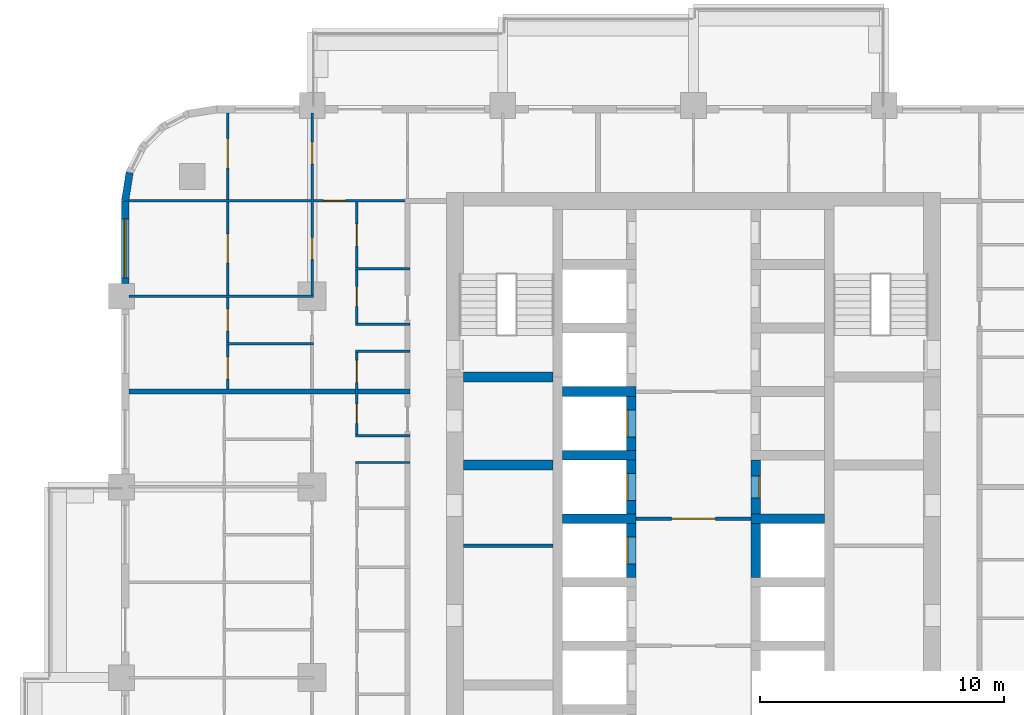
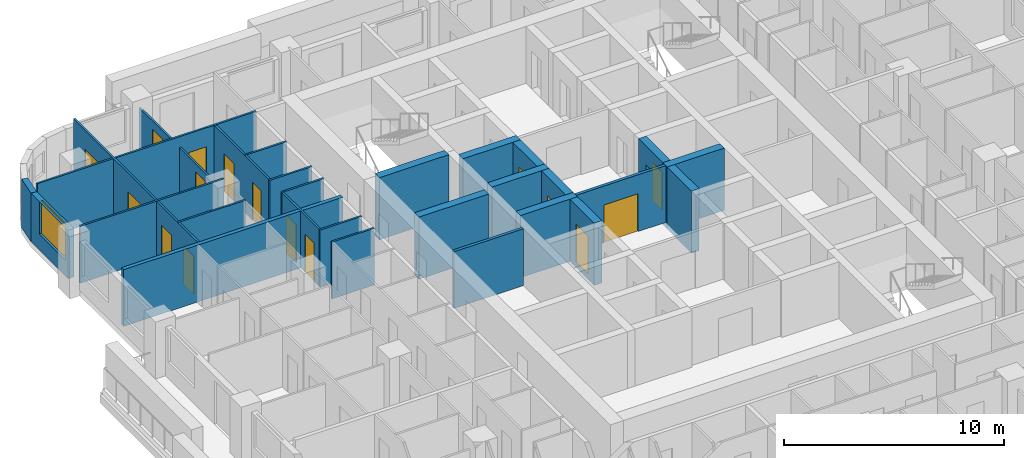
# One storey, part 10 of 17: 28 walls, 16 doors, 1 window, 17 openings.
"""IFC4 building model written with IfcOpenShell, lengths in metres."""

from ifc_helpers import new_model, si_unit, direction, frame, frame_2d, origin, place, context, subcontext, project, spatial, rectangle, extrude, material, layer, layer_set, type_object, element, fill, save


model = new_model("IFC4")

# Units and contexts
model_context = context("Model", 3, precision=1e-05, world=origin(), true_north=direction((0.0, 1.0)))
body_context = subcontext(model_context, "Body", "Model", "MODEL_VIEW")
ifc_project = project(units=[si_unit("LENGTHUNIT", "METRE"), si_unit("AREAUNIT", "SQUARE_METRE"), si_unit("VOLUMEUNIT", "CUBIC_METRE"), si_unit("PLANEANGLEUNIT", "RADIAN"), si_unit("MASSUNIT", "GRAM", prefix="KILO")], contexts=[model_context])

# Site, building, storey
site_placement = place(None, origin())
site = spatial("IfcSite", under=ifc_project, at=site_placement, CompositionType="ELEMENT")
building_placement = place(site_placement, origin())
building = spatial("IfcBuilding", under=site, at=building_placement, Name="Ludao Terraces", CompositionType="ELEMENT")
storey_placement = place(building_placement, frame((0.0, 0.0, 51.199951171875)))
storey = spatial("IfcBuildingStorey", under=building, at=storey_placement, Name="L13", CompositionType="ELEMENT", Elevation=51.199951171875)

# Wall, opening, window
ifc_material_1 = material(Name="Granite cladding", Category="masonry")
ifc_layer_1 = layer(ifc_material_1, 0.0400390625, Category="stone")
ifc_material_2 = material(Name="Mineral wool")
ifc_layer_2 = layer(ifc_material_2, 0.06005859375)
ifc_material_3 = material(Name="Concrete C40", Category="concrete")
ifc_layer_3 = layer(ifc_material_3, 0.199951171875, Category="concrete")
ifc_layer_set_1 = layer_set([ifc_layer_1, ifc_layer_2, ifc_layer_3], Name="ENV Stone-clad wall 300")
wall_type_1 = type_object("IfcWallType", Name="ENV Stone-clad wall 300", PredefinedType="SOLIDWALL", material=ifc_layer_set_1)
wall_1_placement = place(storey_placement, frame((61.75, 81.125, 0.0), z_axis=(0.0, 0.0, 1.0), x_axis=(0.0, 1.0, 0.0)))
wall_1 = element("IfcWall", 1, at=wall_1_placement, inside=storey, type_object=wall_type_1, Name="EW-L13-W6", PredefinedType="SOLIDWALL", context=body_context, shape_type="SweptSolid", body=[
    extrude(rectangle(XDim=3.375, YDim=0.300048828125, at=frame_2d((1.6875, 0.0))), origin(), (0.0, 0.0, 1.0), 2.699951171875),
])
opening_1_placement = place(wall_1_placement, frame((0.22509765625, 0.0, 0.89990234375)))
opening_1 = element("IfcOpeningElement", 2, at=opening_1_placement, cuts=wall_1, Name="Opening W1", PredefinedType="OPENING", context=body_context, shape_type="SweptSolid", body=[
    extrude(rectangle(XDim=2.39990234375, YDim=1.800048828125, at=frame_2d((1.199951171875, 0.89990234375))), frame((0.0, 0.16015625, 0.0), z_axis=(0.0, -1.0, 0.0), x_axis=(1.0, 0.0, 0.0)), (0.0, 0.0, 1.0), 0.320068359375),
])
ifc_material_4 = material(Name="Clear glass in aluminium frame", Category="aluminium")
ifc_layer_4 = layer(ifc_material_4, 0.06005859375)
ifc_layer_set_2 = layer_set([ifc_layer_4], Name="ENV Window W1 2400x1800")
window_type = type_object("IfcWindowType", Name="ENV Window W1 2400x1800", PartitioningType="DOUBLE_PANEL_VERTICAL", PredefinedType="WINDOW", material=ifc_layer_set_2)
window_placement = place(opening_1_placement, origin())
window = element("IfcWindow", 3, at=window_placement, inside=storey, type_object=window_type, Name="W-L13-W6-1", OverallHeight=1.800048828125, OverallWidth=2.39990234375, PartitioningType="DOUBLE_PANEL_VERTICAL", PredefinedType="WINDOW", context=body_context, shape_type="SweptSolid", body=[
    extrude(rectangle(XDim=2.39990234375, YDim=1.800048828125, at=frame_2d((1.199951171875, 0.89990234375))), frame((0.0, 0.030029296875, 0.0), z_axis=(0.0, -1.0, 0.0), x_axis=(1.0, 0.0, 0.0)), (0.0, 0.0, 1.0), 0.06005859375),
])
fill(opening_1, window)

# Walls
wall_2_placement = place(storey_placement, frame((61.93359375, 85.65869140625, 0.0), z_axis=(0.0, 0.0, 1.0), x_axis=(-0.156496880861, -0.987678452879, 0.0)))
element("IfcWall", 4, at=wall_2_placement, inside=storey, type_object=wall_type_1, Name="EW-L13-NW5", PredefinedType="SOLIDWALL", context=body_context, shape_type="SweptSolid", body=[
    extrude(rectangle(XDim=1.173095703125, YDim=0.300048828125, at=frame_2d((0.58642578125, 0.0))), origin(), (0.0, 0.0, 1.0), 2.699951171875),
])
ifc_material_5 = material(Name="Fire-rated gypsum plasterboard", Category="gypsum")
ifc_layer_5 = layer(ifc_material_5, 0.012451171875, Category="gypsum")
ifc_layer_6 = layer(ifc_material_2, 0.10009765625, Name="insulation")
ifc_material_6 = material(Name="Steel Q235", Category="steel")
ifc_layer_7 = layer(ifc_material_6, 0.02490234375, Name="stud")
ifc_layer_8 = layer(ifc_material_5, 0.012451171875, Category="gypsum")
ifc_layer_set_3 = layer_set([ifc_layer_5, ifc_layer_6, ifc_layer_7, ifc_layer_8], Name="INT Core partition 150")
wall_type_2 = type_object("IfcWallType", Name="INT Core partition 150", PredefinedType="PARTITIONING", material=ifc_layer_set_3)
wall_3_placement = place(storey_placement, frame((75.60009765625, 70.39990234375, 0.0), z_axis=(0.0, 0.0, 1.0), x_axis=(1.0, 0.0, 0.0)))
element("IfcWall", 5, at=wall_3_placement, inside=storey, type_object=wall_type_2, Name="PW-L13-PW049", PredefinedType="PARTITIONING", context=body_context, shape_type="SweptSolid", body=[
    extrude(rectangle(XDim=3.64990234375, YDim=0.14990234375, at=frame_2d((1.824951171875, 0.0))), origin(), (0.0, 0.0, 1.0), 3.150146484375),
])

# Wall, opening, door
wall_4_placement = place(storey_placement, frame((82.650146484375, 71.5, 0.0), z_axis=(0.0, 0.0, 1.0), x_axis=(1.0, 0.0, 0.0)))
wall_4 = element("IfcWall", 6, at=wall_4_placement, inside=storey, type_object=wall_type_2, Name="PW-L13-PW053", PredefinedType="PARTITIONING", context=body_context, shape_type="SweptSolid", body=[
    extrude(rectangle(XDim=4.699951171875, YDim=0.14990234375, at=frame_2d((2.35009765625, 0.0))), origin(), (0.0, 0.0, 1.0), 3.150146484375),
])
opening_2_placement = place(wall_4_placement, frame((1.449951171875, 0.0, 0.0)))
opening_2 = element("IfcOpeningElement", 7, at=opening_2_placement, cuts=wall_4, Name="Opening R04-102", PredefinedType="OPENING", context=body_context, shape_type="SweptSolid", body=[
    extrude(rectangle(XDim=1.800048828125, YDim=2.10009765625, at=frame_2d((0.89990234375, 1.050048828125))), frame((0.0, 0.0849609375, 0.0), z_axis=(0.0, -1.0, 0.0), x_axis=(1.0, 0.0, 0.0)), (0.0, 0.0, 1.0), 0.169921875),
])
door_type_1 = type_object("IfcDoorType", Name="INT Fire lobby door 1800", OperationType="DOUBLE_DOOR_SINGLE_SWING", PredefinedType="DOOR", material=ifc_material_6)
door_1_placement = place(opening_2_placement, origin())
door_1 = element("IfcDoor", 8, at=door_1_placement, inside=storey, type_object=door_type_1, Name="DOOR 102", OperationType="DOUBLE_DOOR_SINGLE_SWING", OverallHeight=2.10009765625, OverallWidth=1.800048828125, PredefinedType="DOOR", context=body_context, shape_type="SweptSolid", body=[
    extrude(rectangle(XDim=1.800048828125, YDim=2.10009765625, at=frame_2d((0.89990234375, 1.050048828125))), frame((0.0, 0.02490234375, 0.0), z_axis=(0.0, -1.0, 0.0), x_axis=(1.0, 0.0, 0.0)), (0.0, 0.0, 1.0), 0.050048828125),
])
fill(opening_2, door_1)

# Walls
ifc_material_7 = material(Name="Gypsum plasterboard", Category="gypsum")
ifc_layer_9 = layer(ifc_material_7, 0.012451171875, Category="gypsum")
ifc_layer_10 = layer(ifc_material_2, 0.06005859375, Name="insulation")
ifc_layer_11 = layer(ifc_material_6, 0.014892578125, Name="stud")
ifc_layer_12 = layer(ifc_material_7, 0.012451171875, Category="gypsum")
ifc_layer_set_4 = layer_set([ifc_layer_9, ifc_layer_10, ifc_layer_11, ifc_layer_12], Name="INT Partition 100")
wall_type_3 = type_object("IfcWallType", Name="INT Partition 100", PredefinedType="PARTITIONING", material=ifc_layer_set_4)
for number, where, z_axis, x_axis, name in (
    (9, (71.18017578125, 73.800048828125, 0.0), (0.0, 0.0, 1.0), (1.0, 0.0, 0.0), "PW-L13-PW057"),
    (10, (71.18017578125, 74.89990234375, 0.0), (0.0, 0.0, 1.0), (1.0, 0.0, 0.0), "PW-L13-PW060"),
    (11, (71.18017578125, 78.35009765625, 0.0), (0.0, 0.0, 1.0), (1.0, 0.0, 0.0), "PW-L13-PW066"),
):
    element("IfcWall", number, at=place(storey_placement, frame(where, z_axis=z_axis, x_axis=x_axis)), inside=storey, type_object=wall_type_3, Name=name, PredefinedType="PARTITIONING", context=body_context, shape_type="SweptSolid", body=[
        extrude(rectangle(XDim=2.219970703125, YDim=0.10009765625, at=frame_2d((1.10986328125, 0.0))), origin(), (0.0, 0.0, 1.0), 3.150146484375),
    ])
wall_5_placement = place(storey_placement, frame((65.900146484375, 78.64990234375, 0.0), z_axis=(0.0, 0.0, 1.0), x_axis=(1.0, 0.0, 0.0)))
element("IfcWall", 12, at=wall_5_placement, inside=storey, type_object=wall_type_3, Name="PW-L13-PW067", PredefinedType="PARTITIONING", context=body_context, shape_type="SweptSolid", body=[
    extrude(rectangle(XDim=3.550048828125, YDim=0.10009765625, at=frame_2d((1.77490234375, 0.0))), origin(), (0.0, 0.0, 1.0), 3.150146484375),
])
wall_6_placement = place(storey_placement, frame((71.18017578125, 79.449951171875, 0.0), z_axis=(0.0, 0.0, 1.0), x_axis=(1.0, 0.0, 0.0)))
element("IfcWall", 13, at=wall_6_placement, inside=storey, type_object=wall_type_3, Name="PW-L13-PW069", PredefinedType="PARTITIONING", context=body_context, shape_type="SweptSolid", body=[
    extrude(rectangle(XDim=2.219970703125, YDim=0.10009765625, at=frame_2d((1.10986328125, 0.0))), origin(), (0.0, 0.0, 1.0), 3.150146484375),
])
wall_7_placement = place(storey_placement, frame((61.900146484375, 80.60009765625, 0.0), z_axis=(0.0, 0.0, 1.0), x_axis=(1.0, 0.0, 0.0)))
element("IfcWall", 14, at=wall_7_placement, inside=storey, type_object=wall_type_3, Name="PW-L13-PW070", PredefinedType="PARTITIONING", context=body_context, shape_type="SweptSolid", body=[
    extrude(rectangle(XDim=7.550048828125, YDim=0.10009765625, at=frame_2d((3.77490234375, 0.0))), origin(), (0.0, 0.0, 1.0), 3.150146484375),
])
wall_8_placement = place(storey_placement, frame((71.18017578125, 81.72998046875, 0.0), z_axis=(0.0, 0.0, 1.0), x_axis=(1.0, 0.0, 0.0)))
element("IfcWall", 15, at=wall_8_placement, inside=storey, type_object=wall_type_3, Name="PW-L13-PW073", PredefinedType="PARTITIONING", context=body_context, shape_type="SweptSolid", body=[
    extrude(rectangle(XDim=2.219970703125, YDim=0.10009765625, at=frame_2d((1.10986328125, 0.0))), origin(), (0.0, 0.0, 1.0), 3.150146484375),
])

# Wall, opening, door
wall_9_placement = place(storey_placement, frame((61.900146484375, 84.5, 0.0), z_axis=(0.0, 0.0, 1.0), x_axis=(1.0, 0.0, 0.0)))
wall_9 = element("IfcWall", 16, at=wall_9_placement, inside=storey, type_object=wall_type_3, Name="PW-L13-PW076", PredefinedType="PARTITIONING", context=body_context, shape_type="SweptSolid", body=[
    extrude(rectangle(XDim=11.5, YDim=0.10009765625, at=frame_2d((5.75, 0.0))), origin(), (0.0, 0.0, 1.0), 3.150146484375),
])
opening_3_placement = place(wall_9_placement, frame((7.965087890625, 0.0, 0.0)))
opening_3 = element("IfcOpeningElement", 17, at=opening_3_placement, cuts=wall_9, Name="Opening R04-153", PredefinedType="OPENING", context=body_context, shape_type="SweptSolid", body=[
    extrude(rectangle(XDim=0.89990234375, YDim=2.10009765625, at=frame_2d((0.449951171875, 1.050048828125))), frame((0.0, 0.06005859375, 0.0), z_axis=(0.0, -1.0, 0.0), x_axis=(1.0, 0.0, 0.0)), (0.0, 0.0, 1.0), 0.1201171875),
])
ifc_material_8 = material(Name="Timber door leaf", Category="wood")
door_type_2 = type_object("IfcDoorType", Name="INT Room door 900", OperationType="SINGLE_SWING_LEFT", PredefinedType="DOOR", material=ifc_material_8)
door_2_placement = place(opening_3_placement, origin())
door_2 = element("IfcDoor", 18, at=door_2_placement, inside=storey, type_object=door_type_2, Name="DOOR 153", OperationType="SINGLE_SWING_RIGHT", OverallHeight=2.10009765625, OverallWidth=0.89990234375, PredefinedType="DOOR", context=body_context, shape_type="SweptSolid", body=[
    extrude(rectangle(XDim=0.89990234375, YDim=2.10009765625, at=frame_2d((0.449951171875, 1.050048828125))), frame((0.0, 0.02490234375, 0.0), z_axis=(0.0, -1.0, 0.0), x_axis=(1.0, 0.0, 0.0)), (0.0, 0.0, 1.0), 0.050048828125),
])
fill(opening_3, door_2)

# Wall, openings, doors
wall_10_placement = place(storey_placement, frame((65.949951171875, 76.800048828125, 0.0), z_axis=(0.0, 0.0, 1.0), x_axis=(0.0, 1.0, 0.0)))
wall_10 = element("IfcWall", 19, at=wall_10_placement, inside=storey, type_object=wall_type_3, Name="PW-L13-PW081", PredefinedType="PARTITIONING", context=body_context, shape_type="SweptSolid", body=[
    extrude(rectangle(XDim=11.300048828125, YDim=0.10009765625, at=frame_2d((5.64990234375, 0.0))), origin(), (0.0, 0.0, 1.0), 3.150146484375),
])
opening_4_placement = place(wall_10_placement, frame((0.425048828125, 0.0, 0.0)))
opening_4 = element("IfcOpeningElement", 20, at=opening_4_placement, cuts=wall_10, Name="Opening R04-128", PredefinedType="OPENING", context=body_context, shape_type="SweptSolid", body=[
    extrude(rectangle(XDim=0.89990234375, YDim=2.10009765625, at=frame_2d((0.449951171875, 1.050048828125))), frame((0.0, 0.06005859375, 0.0), z_axis=(0.0, -1.0, 0.0), x_axis=(1.0, 0.0, 0.0)), (0.0, 0.0, 1.0), 0.1201171875),
])
opening_5_placement = place(wall_10_placement, frame((2.375, 0.0, 0.0)))
opening_5 = element("IfcOpeningElement", 21, at=opening_5_placement, cuts=wall_10, Name="Opening R04-136", PredefinedType="OPENING", context=body_context, shape_type="SweptSolid", body=[
    extrude(rectangle(XDim=0.89990234375, YDim=2.10009765625, at=frame_2d((0.449951171875, 1.050048828125))), frame((0.0, 0.06005859375, 0.0), z_axis=(0.0, -1.0, 0.0), x_axis=(1.0, 0.0, 0.0)), (0.0, 0.0, 1.0), 0.1201171875),
])
opening_6_placement = place(wall_10_placement, frame((5.14990234375, 0.0, 0.0)))
opening_6 = element("IfcOpeningElement", 22, at=opening_6_placement, cuts=wall_10, Name="Opening R04-145", PredefinedType="OPENING", context=body_context, shape_type="SweptSolid", body=[
    extrude(rectangle(XDim=1.199951171875, YDim=2.10009765625, at=frame_2d((0.60009765625, 1.050048828125))), frame((0.0, 0.06005859375, 0.0), z_axis=(0.0, -1.0, 0.0), x_axis=(1.0, 0.0, 0.0)), (0.0, 0.0, 1.0), 0.1201171875),
])
opening_7_placement = place(wall_10_placement, frame((9.050048828125, 0.0, 0.0)))
opening_7 = element("IfcOpeningElement", 23, at=opening_7_placement, cuts=wall_10, Name="Opening R04-155", PredefinedType="OPENING", context=body_context, shape_type="SweptSolid", body=[
    extrude(rectangle(XDim=1.199951171875, YDim=2.10009765625, at=frame_2d((0.60009765625, 1.050048828125))), frame((0.0, 0.06005859375, 0.0), z_axis=(0.0, -1.0, 0.0), x_axis=(1.0, 0.0, 0.0)), (0.0, 0.0, 1.0), 0.1201171875),
])
door_type_3 = type_object("IfcDoorType", Name="INT Bathroom door 900", OperationType="SINGLE_SWING_LEFT", PredefinedType="DOOR", material=ifc_material_8)
door_3_placement = place(opening_4_placement, origin())
door_3 = element("IfcDoor", 24, at=door_3_placement, inside=storey, type_object=door_type_3, Name="DOOR 128", OperationType="SINGLE_SWING_RIGHT", OverallHeight=2.10009765625, OverallWidth=0.89990234375, PredefinedType="DOOR", context=body_context, shape_type="SweptSolid", body=[
    extrude(rectangle(XDim=0.89990234375, YDim=2.10009765625, at=frame_2d((0.449951171875, 1.050048828125))), frame((0.0, 0.02490234375, 0.0), z_axis=(0.0, -1.0, 0.0), x_axis=(1.0, 0.0, 0.0)), (0.0, 0.0, 1.0), 0.050048828125),
])
fill(opening_4, door_3)
door_type_4 = type_object("IfcDoorType", Name="INT Double door 1200", OperationType="DOUBLE_DOOR_SINGLE_SWING", PredefinedType="DOOR", material=ifc_material_8)
door_4_placement = place(opening_6_placement, origin())
door_4 = element("IfcDoor", 25, at=door_4_placement, inside=storey, type_object=door_type_4, Name="DOOR 145", OperationType="DOUBLE_DOOR_SINGLE_SWING", OverallHeight=2.10009765625, OverallWidth=1.199951171875, PredefinedType="DOOR", context=body_context, shape_type="SweptSolid", body=[
    extrude(rectangle(XDim=1.199951171875, YDim=2.10009765625, at=frame_2d((0.60009765625, 1.050048828125))), frame((0.0, 0.02490234375, 0.0), z_axis=(0.0, -1.0, 0.0), x_axis=(1.0, 0.0, 0.0)), (0.0, 0.0, 1.0), 0.050048828125),
])
fill(opening_6, door_4)
door_5_placement = place(opening_7_placement, origin())
door_5 = element("IfcDoor", 26, at=door_5_placement, inside=storey, type_object=door_type_4, Name="DOOR 155", OperationType="DOUBLE_DOOR_SINGLE_SWING", OverallHeight=2.10009765625, OverallWidth=1.199951171875, PredefinedType="DOOR", context=body_context, shape_type="SweptSolid", body=[
    extrude(rectangle(XDim=1.199951171875, YDim=2.10009765625, at=frame_2d((0.60009765625, 1.050048828125))), frame((0.0, 0.02490234375, 0.0), z_axis=(0.0, -1.0, 0.0), x_axis=(1.0, 0.0, 0.0)), (0.0, 0.0, 1.0), 0.050048828125),
])
fill(opening_7, door_5)
door_6_placement = place(opening_5_placement, origin())
door_6 = element("IfcDoor", 27, at=door_6_placement, inside=storey, type_object=door_type_2, Name="DOOR 136", OperationType="SINGLE_SWING_RIGHT", OverallHeight=2.10009765625, OverallWidth=0.89990234375, PredefinedType="DOOR", context=body_context, shape_type="SweptSolid", body=[
    extrude(rectangle(XDim=0.89990234375, YDim=2.10009765625, at=frame_2d((0.449951171875, 1.050048828125))), frame((0.0, 0.02490234375, 0.0), z_axis=(0.0, -1.0, 0.0), x_axis=(1.0, 0.0, 0.0)), (0.0, 0.0, 1.0), 0.050048828125),
])
fill(opening_5, door_6)

wall_11_placement = place(storey_placement, frame((69.39990234375, 80.60009765625, 0.0), z_axis=(0.0, 0.0, 1.0), x_axis=(0.0, 1.0, 0.0)))
wall_11 = element("IfcWall", 28, at=wall_11_placement, inside=storey, type_object=wall_type_3, Name="PW-L13-PW083-3", PredefinedType="PARTITIONING", context=body_context, shape_type="SweptSolid", body=[
    extrude(rectangle(XDim=7.5, YDim=0.10009765625, at=frame_2d((3.75, 0.0))), origin(), (0.0, 0.0, 1.0), 2.550048828125),
])
opening_8_placement = place(wall_11_placement, frame((1.5, 0.0, 0.0)))
opening_8 = element("IfcOpeningElement", 29, at=opening_8_placement, cuts=wall_11, Name="Opening R04-146", PredefinedType="OPENING", context=body_context, shape_type="SweptSolid", body=[
    extrude(rectangle(XDim=0.89990234375, YDim=2.10009765625, at=frame_2d((0.449951171875, 1.050048828125))), frame((0.0, 0.06005859375, 0.0), z_axis=(0.0, -1.0, 0.0), x_axis=(1.0, 0.0, 0.0)), (0.0, 0.0, 1.0), 0.1201171875),
])
opening_9_placement = place(wall_11_placement, frame((5.39990234375, 0.0, 0.0)))
opening_9 = element("IfcOpeningElement", 30, at=opening_9_placement, cuts=wall_11, Name="Opening R04-156", PredefinedType="OPENING", context=body_context, shape_type="SweptSolid", body=[
    extrude(rectangle(XDim=0.89990234375, YDim=2.10009765625, at=frame_2d((0.449951171875, 1.050048828125))), frame((0.0, 0.06005859375, 0.0), z_axis=(0.0, -1.0, 0.0), x_axis=(1.0, 0.0, 0.0)), (0.0, 0.0, 1.0), 0.1201171875),
])
door_7_placement = place(opening_8_placement, origin())
door_7 = element("IfcDoor", 31, at=door_7_placement, inside=storey, type_object=door_type_2, Name="DOOR 146", OperationType="SINGLE_SWING_LEFT", OverallHeight=2.10009765625, OverallWidth=0.89990234375, PredefinedType="DOOR", context=body_context, shape_type="SweptSolid", body=[
    extrude(rectangle(XDim=0.89990234375, YDim=2.10009765625, at=frame_2d((0.449951171875, 1.050048828125))), frame((0.0, 0.02490234375, 0.0), z_axis=(0.0, -1.0, 0.0), x_axis=(1.0, 0.0, 0.0)), (0.0, 0.0, 1.0), 0.050048828125),
])
fill(opening_8, door_7)
door_8_placement = place(opening_9_placement, origin())
door_8 = element("IfcDoor", 32, at=door_8_placement, inside=storey, type_object=door_type_2, Name="DOOR 156", OperationType="SINGLE_SWING_RIGHT", OverallHeight=2.10009765625, OverallWidth=0.89990234375, PredefinedType="DOOR", context=body_context, shape_type="SweptSolid", body=[
    extrude(rectangle(XDim=0.89990234375, YDim=2.10009765625, at=frame_2d((0.449951171875, 1.050048828125))), frame((0.0, 0.02490234375, 0.0), z_axis=(0.0, -1.0, 0.0), x_axis=(1.0, 0.0, 0.0)), (0.0, 0.0, 1.0), 0.050048828125),
])
fill(opening_9, door_8)

wall_12_placement = place(storey_placement, frame((71.22998046875, 74.9501953125, 0.0), z_axis=(0.0, 0.0, 1.0), x_axis=(0.0, 1.0, 0.0)))
wall_12 = element("IfcWall", 33, at=wall_12_placement, inside=storey, type_object=wall_type_3, Name="PW-L13-PW086", PredefinedType="PARTITIONING", context=body_context, shape_type="SweptSolid", body=[
    extrude(rectangle(XDim=3.349853515625, YDim=0.10009765625, at=frame_2d((1.6748046875, 0.0))), origin(), (0.0, 0.0, 1.0), 3.150146484375),
])
opening_10_placement = place(wall_12_placement, frame((0.449951171875, 0.0, 0.0)))
opening_10 = element("IfcOpeningElement", 34, at=opening_10_placement, cuts=wall_12, Name="Opening R04-124", PredefinedType="OPENING", context=body_context, shape_type="SweptSolid", body=[
    extrude(rectangle(XDim=0.800048828125, YDim=2.10009765625, at=frame_2d((0.39990234375, 1.050048828125))), frame((0.0, 0.06005859375, 0.0), z_axis=(0.0, -1.0, 0.0), x_axis=(1.0, 0.0, 0.0)), (0.0, 0.0, 1.0), 0.1201171875),
])
opening_11_placement = place(wall_12_placement, frame((2.125, 0.0, 0.0)))
opening_11 = element("IfcOpeningElement", 35, at=opening_11_placement, cuts=wall_12, Name="Opening R04-127", PredefinedType="OPENING", context=body_context, shape_type="SweptSolid", body=[
    extrude(rectangle(XDim=0.89990234375, YDim=2.10009765625, at=frame_2d((0.449951171875, 1.050048828125))), frame((0.0, 0.06005859375, 0.0), z_axis=(0.0, -1.0, 0.0), x_axis=(1.0, 0.0, 0.0)), (0.0, 0.0, 1.0), 0.1201171875),
])
door_9_placement = place(opening_11_placement, origin())
door_9 = element("IfcDoor", 36, at=door_9_placement, inside=storey, type_object=door_type_3, Name="DOOR 127", OperationType="SINGLE_SWING_RIGHT", OverallHeight=2.10009765625, OverallWidth=0.89990234375, PredefinedType="DOOR", context=body_context, shape_type="SweptSolid", body=[
    extrude(rectangle(XDim=0.89990234375, YDim=2.10009765625, at=frame_2d((0.449951171875, 1.050048828125))), frame((0.0, 0.02490234375, 0.0), z_axis=(0.0, -1.0, 0.0), x_axis=(1.0, 0.0, 0.0)), (0.0, 0.0, 1.0), 0.050048828125),
])
fill(opening_11, door_9)
door_type_5 = type_object("IfcDoorType", Name="INT Store door 800", OperationType="SINGLE_SWING_LEFT", PredefinedType="DOOR", material=ifc_material_8)
door_10_placement = place(opening_10_placement, origin())
door_10 = element("IfcDoor", 37, at=door_10_placement, inside=storey, type_object=door_type_5, Name="DOOR 124", OperationType="SINGLE_SWING_RIGHT", OverallHeight=2.10009765625, OverallWidth=0.800048828125, PredefinedType="DOOR", context=body_context, shape_type="SweptSolid", body=[
    extrude(rectangle(XDim=0.800048828125, YDim=2.10009765625, at=frame_2d((0.39990234375, 1.050048828125))), frame((0.0, 0.02490234375, 0.0), z_axis=(0.0, -1.0, 0.0), x_axis=(1.0, 0.0, 0.0)), (0.0, 0.0, 1.0), 0.050048828125),
])
fill(opening_10, door_10)

wall_13_placement = place(storey_placement, frame((71.22998046875, 79.5, 0.0), z_axis=(0.0, 0.0, 1.0), x_axis=(0.0, 1.0, 0.0)))
wall_13 = element("IfcWall", 38, at=wall_13_placement, inside=storey, type_object=wall_type_3, Name="PW-L13-PW087", PredefinedType="PARTITIONING", context=body_context, shape_type="SweptSolid", body=[
    extrude(rectangle(XDim=4.9501953125, YDim=0.10009765625, at=frame_2d((2.47509765625, 0.0))), origin(), (0.0, 0.0, 1.0), 3.150146484375),
])
opening_12_placement = place(wall_13_placement, frame((0.690185546875, 0.0, 0.0)))
opening_12 = element("IfcOpeningElement", 39, at=opening_12_placement, cuts=wall_13, Name="Opening R04-140", PredefinedType="OPENING", context=body_context, shape_type="SweptSolid", body=[
    extrude(rectangle(XDim=0.800048828125, YDim=2.10009765625, at=frame_2d((0.39990234375, 1.050048828125))), frame((0.0, 0.06005859375, 0.0), z_axis=(0.0, -1.0, 0.0), x_axis=(1.0, 0.0, 0.0)), (0.0, 0.0, 1.0), 0.1201171875),
])
opening_13_placement = place(wall_13_placement, frame((3.1650390625, 0.0, 0.0)))
opening_13 = element("IfcOpeningElement", 40, at=opening_13_placement, cuts=wall_13, Name="Opening R04-147", PredefinedType="OPENING", context=body_context, shape_type="SweptSolid", body=[
    extrude(rectangle(XDim=0.89990234375, YDim=2.10009765625, at=frame_2d((0.449951171875, 1.050048828125))), frame((0.0, 0.06005859375, 0.0), z_axis=(0.0, -1.0, 0.0), x_axis=(1.0, 0.0, 0.0)), (0.0, 0.0, 1.0), 0.1201171875),
])
door_11_placement = place(opening_13_placement, origin())
door_11 = element("IfcDoor", 41, at=door_11_placement, inside=storey, type_object=door_type_2, Name="DOOR 147", OperationType="SINGLE_SWING_RIGHT", OverallHeight=2.10009765625, OverallWidth=0.89990234375, PredefinedType="DOOR", context=body_context, shape_type="SweptSolid", body=[
    extrude(rectangle(XDim=0.89990234375, YDim=2.10009765625, at=frame_2d((0.449951171875, 1.050048828125))), frame((0.0, 0.02490234375, 0.0), z_axis=(0.0, -1.0, 0.0), x_axis=(1.0, 0.0, 0.0)), (0.0, 0.0, 1.0), 0.050048828125),
])
fill(opening_13, door_11)
door_12_placement = place(opening_12_placement, origin())
door_12 = element("IfcDoor", 42, at=door_12_placement, inside=storey, type_object=door_type_5, Name="DOOR 140", OperationType="SINGLE_SWING_RIGHT", OverallHeight=2.10009765625, OverallWidth=0.800048828125, PredefinedType="DOOR", context=body_context, shape_type="SweptSolid", body=[
    extrude(rectangle(XDim=0.800048828125, YDim=2.10009765625, at=frame_2d((0.39990234375, 1.050048828125))), frame((0.0, 0.02490234375, 0.0), z_axis=(0.0, -1.0, 0.0), x_axis=(1.0, 0.0, 0.0)), (0.0, 0.0, 1.0), 0.050048828125),
])
fill(opening_12, door_12)

# Wall
ifc_material_9 = material(Name="Autoclaved aerated concrete block B06 A3.5", Category="concrete")
ifc_layer_13 = layer(ifc_material_9, 0.199951171875)
ifc_layer_set_5 = layer_set([ifc_layer_13], Name="INT Party wall 200")
wall_type_4 = type_object("IfcWallType", Name="INT Party wall 200", PredefinedType="PARTITIONING", material=ifc_layer_set_5)
wall_14_placement = place(storey_placement, frame((61.900146484375, 76.699951171875, 0.0), z_axis=(0.0, 0.0, 1.0), x_axis=(1.0, 0.0, 0.0)))
element("IfcWall", 43, at=wall_14_placement, inside=storey, type_object=wall_type_4, Name="PW-L13-PW062", PredefinedType="PARTITIONING", context=body_context, shape_type="SweptSolid", body=[
    extrude(rectangle(XDim=11.5, YDim=0.199951171875, at=frame_2d((5.75, 0.0))), origin(), (0.0, 0.0, 1.0), 3.150146484375),
])

# Wall, opening, door
ifc_material_10 = material(Name="Concrete C60", Category="concrete")
ifc_layer_14 = layer(ifc_material_10, 0.39990234375)
ifc_layer_set_6 = layer_set([ifc_layer_14], Name="Shaft wall 400 C60")
wall_type_5 = type_object("IfcWallType", Name="Shaft wall 400 C60", PredefinedType="SOLIDWALL", material=ifc_layer_set_6)
wall_15_placement = place(storey_placement, frame((82.449951171875, 69.10009765625, -0.300048828125), z_axis=(0.0, 0.0, 1.0), x_axis=(0.0, 1.0, 0.0)))
wall_15 = element("IfcWall", 44, at=wall_15_placement, inside=storey, type_object=wall_type_5, Name="Core wall L13 front-W4", PredefinedType="SOLIDWALL", context=body_context, shape_type="SweptSolid", body=[
    extrude(rectangle(XDim=2.199951171875, YDim=0.39990234375, at=frame_2d((1.10009765625, 0.0))), origin(), (0.0, 0.0, 1.0), 3.4501953125),
])
opening_14_placement = place(wall_15_placement, frame((0.550048828125, 0.0, 0.300048828125)))
opening_14 = element("IfcOpeningElement", 45, at=opening_14_placement, cuts=wall_15, Name="Opening LD-LA4", PredefinedType="OPENING", context=body_context, shape_type="SweptSolid", body=[
    extrude(rectangle(XDim=1.10009765625, YDim=2.10009765625, at=frame_2d((0.550048828125, 1.050048828125))), frame((0.0, 0.2099609375, 0.0), z_axis=(0.0, -1.0, 0.0), x_axis=(1.0, 0.0, 0.0)), (0.0, 0.0, 1.0), 0.419921875),
])
ifc_material_11 = material(Name="Stainless steel 304", Category="steel")
door_type_6 = type_object("IfcDoorType", Name="INT Lift landing door 1100", OperationType="SLIDING_TO_LEFT", PredefinedType="DOOR", material=ifc_material_11)
door_13_placement = place(opening_14_placement, origin())
door_13 = element("IfcDoor", 46, at=door_13_placement, inside=storey, type_object=door_type_6, Name="LANDING DOOR LA4 L13", OperationType="SLIDING_TO_LEFT", OverallHeight=2.10009765625, OverallWidth=1.10009765625, PredefinedType="DOOR", context=body_context, shape_type="SweptSolid", body=[
    extrude(rectangle(XDim=1.10009765625, YDim=2.10009765625, at=frame_2d((0.550048828125, 1.050048828125))), frame((0.0, 0.18505859375, 0.0), z_axis=(0.0, -1.0, 0.0), x_axis=(1.0, 0.0, 0.0)), (0.0, 0.0, 1.0), 0.050048828125),
])
fill(opening_14, door_13)

# Wall
wall_16_placement = place(storey_placement, frame((79.64990234375, 71.5, -0.300048828125), z_axis=(0.0, 0.0, 1.0), x_axis=(1.0, 0.0, 0.0)))
element("IfcWall", 47, at=wall_16_placement, inside=storey, type_object=wall_type_5, Name="Core wall L13 div-W5", PredefinedType="SOLIDWALL", context=body_context, shape_type="SweptSolid", body=[
    extrude(rectangle(XDim=3.0, YDim=0.39990234375, at=frame_2d((1.5, 0.0))), origin(), (0.0, 0.0, 1.0), 3.4501953125),
])

# Wall, opening, door
wall_17_placement = place(storey_placement, frame((82.449951171875, 71.699951171875, -0.300048828125), z_axis=(0.0, 0.0, 1.0), x_axis=(0.0, 1.0, 0.0)))
wall_17 = element("IfcWall", 48, at=wall_17_placement, inside=storey, type_object=wall_type_5, Name="Core wall L13 front-W5", PredefinedType="SOLIDWALL", context=body_context, shape_type="SweptSolid", body=[
    extrude(rectangle(XDim=2.199951171875, YDim=0.39990234375, at=frame_2d((1.10009765625, 0.0))), origin(), (0.0, 0.0, 1.0), 3.4501953125),
])
opening_15_placement = place(wall_17_placement, frame((0.550048828125, 0.0, 0.300048828125)))
opening_15 = element("IfcOpeningElement", 49, at=opening_15_placement, cuts=wall_17, Name="Opening LD-LA5", PredefinedType="OPENING", context=body_context, shape_type="SweptSolid", body=[
    extrude(rectangle(XDim=1.10009765625, YDim=2.10009765625, at=frame_2d((0.550048828125, 1.050048828125))), frame((0.0, 0.2099609375, 0.0), z_axis=(0.0, -1.0, 0.0), x_axis=(1.0, 0.0, 0.0)), (0.0, 0.0, 1.0), 0.419921875),
])
door_14_placement = place(opening_15_placement, origin())
door_14 = element("IfcDoor", 50, at=door_14_placement, inside=storey, type_object=door_type_6, Name="LANDING DOOR LA5 L13", OperationType="SLIDING_TO_LEFT", OverallHeight=2.10009765625, OverallWidth=1.10009765625, PredefinedType="DOOR", context=body_context, shape_type="SweptSolid", body=[
    extrude(rectangle(XDim=1.10009765625, YDim=2.10009765625, at=frame_2d((0.550048828125, 1.050048828125))), frame((0.0, 0.18505859375, 0.0), z_axis=(0.0, -1.0, 0.0), x_axis=(1.0, 0.0, 0.0)), (0.0, 0.0, 1.0), 0.050048828125),
])
fill(opening_15, door_14)

# Wall
wall_18_placement = place(storey_placement, frame((79.64990234375, 74.10009765625, -0.300048828125), z_axis=(0.0, 0.0, 1.0), x_axis=(1.0, 0.0, 0.0)))
element("IfcWall", 51, at=wall_18_placement, inside=storey, type_object=wall_type_5, Name="Core wall L13 div-W6", PredefinedType="SOLIDWALL", context=body_context, shape_type="SweptSolid", body=[
    extrude(rectangle(XDim=3.0, YDim=0.39990234375, at=frame_2d((1.5, 0.0))), origin(), (0.0, 0.0, 1.0), 3.4501953125),
])

# Wall, opening, door
wall_19_placement = place(storey_placement, frame((82.449951171875, 74.300048828125, -0.300048828125), z_axis=(0.0, 0.0, 1.0), x_axis=(0.0, 1.0, 0.0)))
wall_19 = element("IfcWall", 52, at=wall_19_placement, inside=storey, type_object=wall_type_5, Name="Core wall L13 front-W6", PredefinedType="SOLIDWALL", context=body_context, shape_type="SweptSolid", body=[
    extrude(rectangle(XDim=2.199951171875, YDim=0.39990234375, at=frame_2d((1.10009765625, 0.0))), origin(), (0.0, 0.0, 1.0), 3.4501953125),
])
opening_16_placement = place(wall_19_placement, frame((0.550048828125, 0.0, 0.300048828125)))
opening_16 = element("IfcOpeningElement", 53, at=opening_16_placement, cuts=wall_19, Name="Opening LD-LA6", PredefinedType="OPENING", context=body_context, shape_type="SweptSolid", body=[
    extrude(rectangle(XDim=1.10009765625, YDim=2.10009765625, at=frame_2d((0.550048828125, 1.050048828125))), frame((0.0, 0.2099609375, 0.0), z_axis=(0.0, -1.0, 0.0), x_axis=(1.0, 0.0, 0.0)), (0.0, 0.0, 1.0), 0.419921875),
])
door_15_placement = place(opening_16_placement, origin())
door_15 = element("IfcDoor", 54, at=door_15_placement, inside=storey, type_object=door_type_6, Name="LANDING DOOR LA6 L13", OperationType="SLIDING_TO_LEFT", OverallHeight=2.10009765625, OverallWidth=1.10009765625, PredefinedType="DOOR", context=body_context, shape_type="SweptSolid", body=[
    extrude(rectangle(XDim=1.10009765625, YDim=2.10009765625, at=frame_2d((0.550048828125, 1.050048828125))), frame((0.0, 0.18505859375, 0.0), z_axis=(0.0, -1.0, 0.0), x_axis=(1.0, 0.0, 0.0)), (0.0, 0.0, 1.0), 0.050048828125),
])
fill(opening_16, door_15)

# Walls
wall_20_placement = place(storey_placement, frame((79.64990234375, 76.699951171875, -0.300048828125), z_axis=(0.0, 0.0, 1.0), x_axis=(1.0, 0.0, 0.0)))
element("IfcWall", 55, at=wall_20_placement, inside=storey, type_object=wall_type_5, Name="Core wall L13 div-W7", PredefinedType="SOLIDWALL", context=body_context, shape_type="SweptSolid", body=[
    extrude(rectangle(XDim=3.0, YDim=0.39990234375, at=frame_2d((1.5, 0.0))), origin(), (0.0, 0.0, 1.0), 3.4501953125),
])
wall_21_placement = place(storey_placement, frame((87.550048828125, 69.10009765625, -0.300048828125), z_axis=(0.0, 0.0, 1.0), x_axis=(0.0, 1.0, 0.0)))
element("IfcWall", 56, at=wall_21_placement, inside=storey, type_object=wall_type_5, Name="Core wall L13 front-E4", PredefinedType="SOLIDWALL", context=body_context, shape_type="SweptSolid", body=[
    extrude(rectangle(XDim=2.199951171875, YDim=0.39990234375, at=frame_2d((1.10009765625, 0.0))), origin(), (0.0, 0.0, 1.0), 3.4501953125),
])
wall_22_placement = place(storey_placement, frame((87.35009765625, 71.5, -0.300048828125), z_axis=(0.0, 0.0, 1.0), x_axis=(1.0, 0.0, 0.0)))
element("IfcWall", 57, at=wall_22_placement, inside=storey, type_object=wall_type_5, Name="Core wall L13 div-E5", PredefinedType="SOLIDWALL", context=body_context, shape_type="SweptSolid", body=[
    extrude(rectangle(XDim=3.0, YDim=0.39990234375, at=frame_2d((1.5, 0.0))), origin(), (0.0, 0.0, 1.0), 3.4501953125),
])

# Wall, opening, door
wall_23_placement = place(storey_placement, frame((87.550048828125, 71.699951171875, -0.300048828125), z_axis=(0.0, 0.0, 1.0), x_axis=(0.0, 1.0, 0.0)))
wall_23 = element("IfcWall", 58, at=wall_23_placement, inside=storey, type_object=wall_type_5, Name="Core wall L13 front-E5", PredefinedType="SOLIDWALL", context=body_context, shape_type="SweptSolid", body=[
    extrude(rectangle(XDim=2.199951171875, YDim=0.39990234375, at=frame_2d((1.10009765625, 0.0))), origin(), (0.0, 0.0, 1.0), 3.4501953125),
])
opening_17_placement = place(wall_23_placement, frame((0.64990234375, 0.0, 0.300048828125)))
opening_17 = element("IfcOpeningElement", 59, at=opening_17_placement, cuts=wall_23, Name="Opening R04-110", PredefinedType="OPENING", context=body_context, shape_type="SweptSolid", body=[
    extrude(rectangle(XDim=0.89990234375, YDim=2.10009765625, at=frame_2d((0.449951171875, 1.050048828125))), frame((0.0, 0.2099609375, 0.0), z_axis=(0.0, -1.0, 0.0), x_axis=(1.0, 0.0, 0.0)), (0.0, 0.0, 1.0), 0.419921875),
])
door_16_placement = place(opening_17_placement, origin())
door_16 = element("IfcDoor", 60, at=door_16_placement, inside=storey, type_object=door_type_2, Name="DOOR 110", OperationType="SINGLE_SWING_RIGHT", OverallHeight=2.10009765625, OverallWidth=0.89990234375, PredefinedType="DOOR", context=body_context, shape_type="SweptSolid", body=[
    extrude(rectangle(XDim=0.89990234375, YDim=2.10009765625, at=frame_2d((0.449951171875, 1.050048828125))), frame((0.0, -0.134765625, 0.0), z_axis=(0.0, -1.0, 0.0), x_axis=(1.0, 0.0, 0.0)), (0.0, 0.0, 1.0), 0.050048828125),
])
fill(opening_17, door_16)

# Walls
for number, where, z_axis, x_axis, name in (
    (61, (75.60009765625, 73.699951171875, -0.300048828125), (0.0, 0.0, 1.0), (1.0, 0.0, 0.0), "Core wall L13 riser-b-W"),
    (62, (75.60009765625, 77.300048828125, -0.300048828125), (0.0, 0.0, 1.0), (1.0, 0.0, 0.0), "Core wall L13 stair-W"),
):
    element("IfcWall", number, at=place(storey_placement, frame(where, z_axis=z_axis, x_axis=x_axis)), inside=storey, type_object=wall_type_5, Name=name, PredefinedType="SOLIDWALL", context=body_context, shape_type="SweptSolid", body=[
        extrude(rectangle(XDim=3.64990234375, YDim=0.39990234375, at=frame_2d((1.824951171875, 0.0))), origin(), (0.0, 0.0, 1.0), 3.4501953125),
    ])

save(model, "model.ifc")
